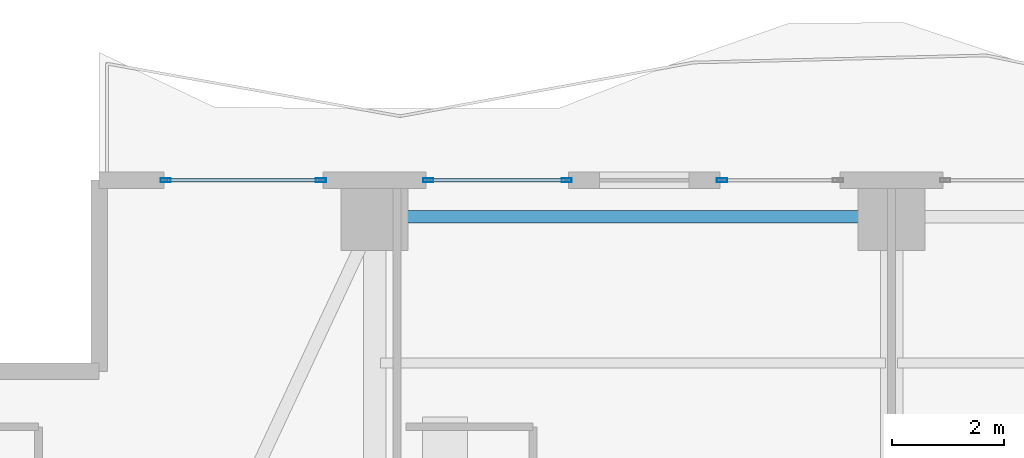
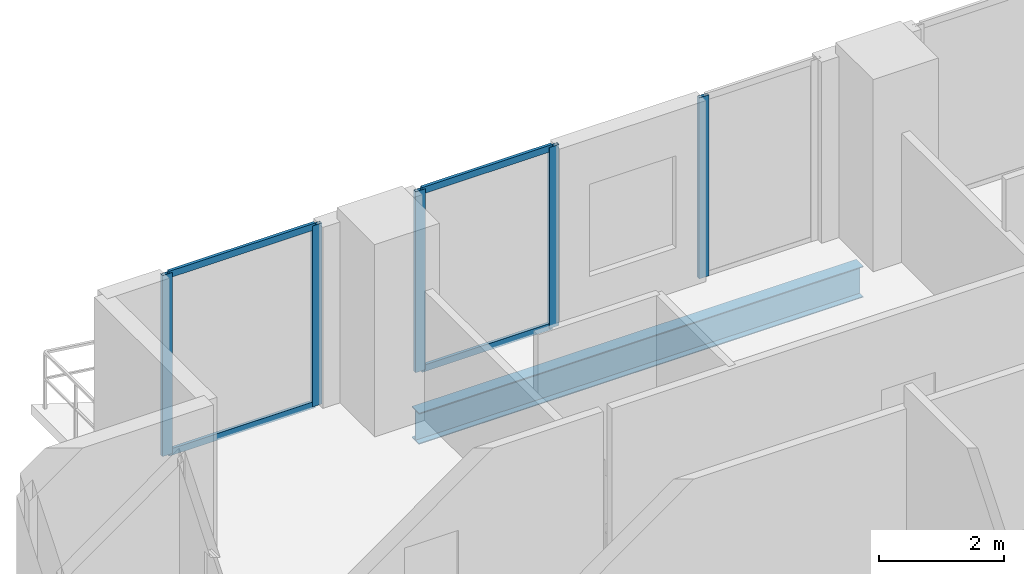
# One storey, part 18 of 32: 9 members, 1 beam, 3 elements without a shape of their own.
"""IFC4 building model written with IfcOpenShell, lengths in metres."""

from ifc_helpers import new_model, si_unit, direction, frame, origin, origin_2d, place, context, subcontext, project, spatial, hollow_rectangle, i_section, extrude, material, layer, layer_set, material_profile, profile_set, type_object, element, aggregate, save


model = new_model("IFC4")

# Units and contexts
model_context = context("Model", 3, precision=1e-05, world=origin(), true_north=direction((0.0, 1.0)))
body_context = subcontext(model_context, "Body", "Model", "MODEL_VIEW")
ifc_project = project(units=[si_unit("LENGTHUNIT", "METRE"), si_unit("AREAUNIT", "SQUARE_METRE"), si_unit("VOLUMEUNIT", "CUBIC_METRE"), si_unit("PLANEANGLEUNIT", "RADIAN"), si_unit("MASSUNIT", "GRAM", prefix="KILO")], contexts=[model_context])

# Site, building, storey
site_placement = place(None, origin())
site = spatial("IfcSite", under=ifc_project, at=site_placement, CompositionType="ELEMENT")
building_placement = place(site_placement, origin())
building = spatial("IfcBuilding", under=site, at=building_placement, Name="Zuhayl Quay Hotel", CompositionType="ELEMENT")
storey_placement = place(building_placement, frame((0.0, 0.0, 218.64990234375)))
storey = spatial("IfcBuildingStorey", under=building, at=storey_placement, Name="L55", CompositionType="ELEMENT", Elevation=218.64990234375)

# Beam
ifc_material_1 = material(Name="Steel ASTM A992 Grade 50", Category="steel")
ifc_material_profile_1 = material_profile(ifc_material_1, i_section(OverallWidth=0.22802734375, OverallDepth=0.60693359375, WebThickness=0.01123046875, FlangeThickness=0.017333984375, at=origin_2d()), Name="W24X76")
ifc_profile_set_1 = profile_set([ifc_material_profile_1], Name="Steel ASTM A992 Grade 50")
beam_type = type_object("IfcBeamType", Name="BM_B3_W24X76", PredefinedType="BEAM", material=ifc_profile_set_1)
beam_placement = place(storey_placement, frame((-5.10009765625, 32.949951171875, -0.5234375), z_axis=(-1.0, 0.0, 0.0), x_axis=(0.0, -1.0, 0.0)))
element("IfcBeam", 1, at=beam_placement, inside=storey, type_object=beam_type, Name="L55 Floor Beam RG_L55_09", PredefinedType="BEAM", context=body_context, shape_type="SweptSolid", body=[
    extrude(i_section(OverallWidth=0.22802734375, OverallDepth=0.60693359375, WebThickness=0.01123046875, FlangeThickness=0.017333984375, at=origin_2d()), origin(), (0.0, 0.0, 1.0), 8.199951171875),
])

# Curtain wall, members
ifc_material_2 = material(Name="Anodised Aluminium 6063-T6", Category="aluminium")
ifc_layer = layer(ifc_material_2, 0.175048828125, Name="Anodised Aluminium 6063-T6", Category="aluminium")
ifc_layer_set = layer_set([ifc_layer], Name="Anodised Aluminium 6063-T6")
curtain_wall_type = type_object("IfcCurtainWallType", Name="CW_SYS_Z3", PredefinedType="USERDEFINED", material=ifc_layer_set)
curtain_wall_1_placement = place(storey_placement, origin())
curtain_wall_1 = element("IfcCurtainWall", 2, at=curtain_wall_1_placement, inside=storey, type_object=curtain_wall_type, Name="L55 Curtain Wall ENV_L55_N_CW1", ObjectType="UNITISED CURTAIN WALL", PredefinedType="USERDEFINED")
ifc_material_3 = material(Name="Black-anodised aluminium 6063-T6", Category="aluminium")
ifc_material_profile_2 = material_profile(ifc_material_3, hollow_rectangle(XDim=0.06494140625, YDim=0.179931640625, WallThickness=0.00341796875, at=origin_2d()), Name="ALU180X65")
ifc_profile_set_2 = profile_set([ifc_material_profile_2], Name="Black-anodised aluminium 6063-T6")
member_type_1 = type_object("IfcMemberType", Name="MB_CW_MUL_180", PredefinedType="MULLION", material=ifc_profile_set_2)
member_1_placement = place(storey_placement, frame((-17.517578125, 33.60009765625, 0.0), z_axis=(0.0, 0.0, 1.0), x_axis=(0.0, 1.0, 0.0)))
member_1 = element("IfcMember", 3, at=member_1_placement, type_object=member_type_1, Name="CW-Z3 mullion 1", PredefinedType="MULLION", context=body_context, shape_type="SweptSolid", body=[
    extrude(hollow_rectangle(XDim=0.06494140625, YDim=0.179931640625, WallThickness=0.00341796875, at=origin_2d()), origin(), (0.0, 0.0, 1.0), 3.530029296875),
])
member_2_placement = place(storey_placement, frame((-14.75244140625, 33.60009765625, 0.0), z_axis=(0.0, 0.0, 1.0), x_axis=(0.0, 1.0, 0.0)))
member_2 = element("IfcMember", 4, at=member_2_placement, type_object=member_type_1, Name="CW-Z3 mullion 2", PredefinedType="MULLION", context=body_context, shape_type="SweptSolid", body=[
    extrude(hollow_rectangle(XDim=0.06494140625, YDim=0.179931640625, WallThickness=0.00341796875, at=origin_2d()), origin(), (0.0, 0.0, 1.0), 3.530029296875),
])

curtain_wall_2_placement = place(storey_placement, origin())
curtain_wall_2 = element("IfcCurtainWall", 5, at=curtain_wall_2_placement, inside=storey, type_object=curtain_wall_type, Name="L55 Curtain Wall ENV_L55_N_CW2", ObjectType="UNITISED CURTAIN WALL", PredefinedType="USERDEFINED")
member_3_placement = place(storey_placement, frame((-12.847412109375, 33.60009765625, 0.0), z_axis=(0.0, 0.0, 1.0), x_axis=(0.0, 1.0, 0.0)))
member_3 = element("IfcMember", 6, at=member_3_placement, type_object=member_type_1, Name="CW-Z3 mullion 1", PredefinedType="MULLION", context=body_context, shape_type="SweptSolid", body=[
    extrude(hollow_rectangle(XDim=0.06494140625, YDim=0.179931640625, WallThickness=0.00341796875, at=origin_2d()), origin(), (0.0, 0.0, 1.0), 3.530029296875),
])
member_4_placement = place(storey_placement, frame((-10.382568359375, 33.60009765625, 0.0), z_axis=(0.0, 0.0, 1.0), x_axis=(0.0, 1.0, 0.0)))
member_4 = element("IfcMember", 7, at=member_4_placement, type_object=member_type_1, Name="CW-Z3 mullion 2", PredefinedType="MULLION", context=body_context, shape_type="SweptSolid", body=[
    extrude(hollow_rectangle(XDim=0.06494140625, YDim=0.179931640625, WallThickness=0.00341796875, at=origin_2d()), origin(), (0.0, 0.0, 1.0), 3.530029296875),
])

# Curtain wall, member
curtain_wall_3_placement = place(storey_placement, origin())
curtain_wall_3 = element("IfcCurtainWall", 8, at=curtain_wall_3_placement, inside=storey, type_object=curtain_wall_type, Name="L55 Curtain Wall ENV_L55_N_CW3", ObjectType="UNITISED CURTAIN WALL", PredefinedType="USERDEFINED")
member_5_placement = place(storey_placement, frame((-7.617431640625, 33.60009765625, 0.0), z_axis=(0.0, 0.0, 1.0), x_axis=(0.0, 1.0, 0.0)))
member_5 = element("IfcMember", 9, at=member_5_placement, type_object=member_type_1, Name="CW-Z3 mullion 1", PredefinedType="MULLION", context=body_context, shape_type="SweptSolid", body=[
    extrude(hollow_rectangle(XDim=0.06494140625, YDim=0.179931640625, WallThickness=0.00341796875, at=origin_2d()), origin(), (0.0, 0.0, 1.0), 3.530029296875),
])
aggregate(curtain_wall_3, [member_5])

# Member
ifc_material_profile_3 = material_profile(ifc_material_3, hollow_rectangle(XDim=0.054931640625, YDim=0.1298828125, WallThickness=0.0029296875, at=origin_2d()), Name="ALU130X55")
ifc_profile_set_3 = profile_set([ifc_material_profile_3], Name="Black-anodised aluminium 6063-T6")
member_type_2 = type_object("IfcMemberType", Name="MB_CW_TRN_130", PredefinedType="USERDEFINED", material=ifc_profile_set_3)
member_6_placement = place(storey_placement, frame((-17.485107421875, 33.60009765625, 0.027587890625), z_axis=(1.0, 0.0, 0.0), x_axis=(0.0, 1.0, 0.0)))
member_6 = element("IfcMember", 10, at=member_6_placement, type_object=member_type_2, Name="CW-Z3 transom 1.1", ObjectType="TRANSOM", PredefinedType="USERDEFINED", context=body_context, shape_type="SweptSolid", body=[
    extrude(hollow_rectangle(XDim=0.054931640625, YDim=0.1298828125, WallThickness=0.0029296875, at=origin_2d()), origin(), (0.0, 0.0, 1.0), 2.7001953125),
])

member_7_placement = place(storey_placement, frame((-17.485107421875, 33.60009765625, 3.502685546875), z_axis=(1.0, 0.0, 0.0), x_axis=(0.0, 1.0, 0.0)))
member_7 = element("IfcMember", 11, at=member_7_placement, type_object=member_type_2, Name="CW-Z3 transom 1.2", ObjectType="TRANSOM", PredefinedType="USERDEFINED", context=body_context, shape_type="SweptSolid", body=[
    extrude(hollow_rectangle(XDim=0.054931640625, YDim=0.1298828125, WallThickness=0.0029296875, at=origin_2d()), origin(), (0.0, 0.0, 1.0), 2.7001953125),
])

aggregate(curtain_wall_1, [member_1, member_2, member_6, member_7])

member_8_placement = place(storey_placement, frame((-12.81494140625, 33.60009765625, 0.027587890625), z_axis=(1.0, 0.0, 0.0), x_axis=(0.0, 1.0, 0.0)))
member_8 = element("IfcMember", 12, at=member_8_placement, type_object=member_type_2, Name="CW-Z3 transom 1.1", ObjectType="TRANSOM", PredefinedType="USERDEFINED", context=body_context, shape_type="SweptSolid", body=[
    extrude(hollow_rectangle(XDim=0.054931640625, YDim=0.1298828125, WallThickness=0.0029296875, at=origin_2d()), origin(), (0.0, 0.0, 1.0), 2.39990234375),
])

member_9_placement = place(storey_placement, frame((-12.81494140625, 33.60009765625, 3.502685546875), z_axis=(1.0, 0.0, 0.0), x_axis=(0.0, 1.0, 0.0)))
member_9 = element("IfcMember", 13, at=member_9_placement, type_object=member_type_2, Name="CW-Z3 transom 1.2", ObjectType="TRANSOM", PredefinedType="USERDEFINED", context=body_context, shape_type="SweptSolid", body=[
    extrude(hollow_rectangle(XDim=0.054931640625, YDim=0.1298828125, WallThickness=0.0029296875, at=origin_2d()), origin(), (0.0, 0.0, 1.0), 2.39990234375),
])

aggregate(curtain_wall_2, [member_3, member_4, member_8, member_9])

save(model, "model.ifc")
